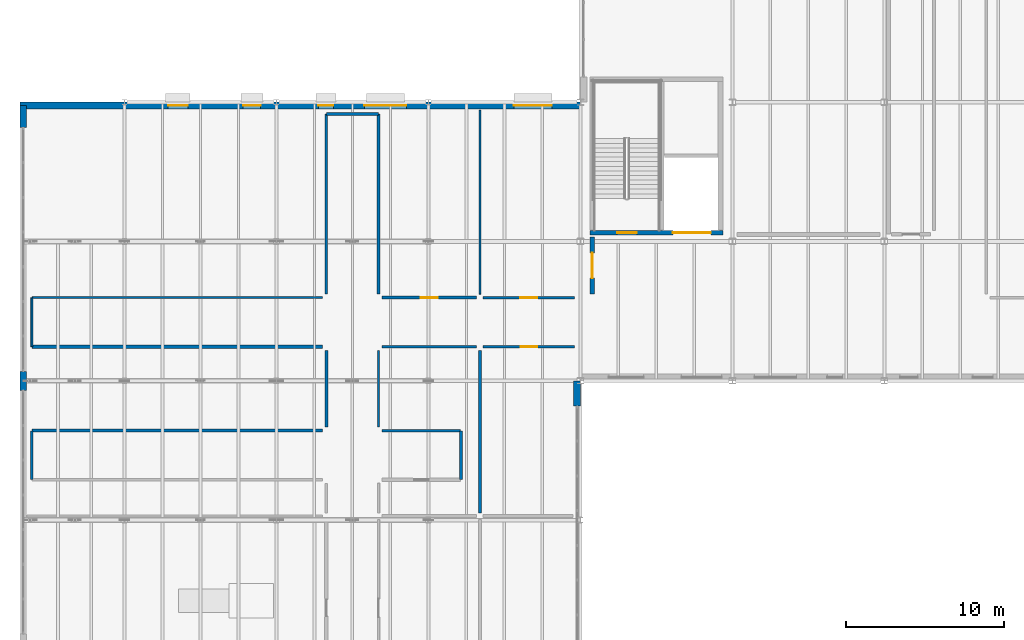
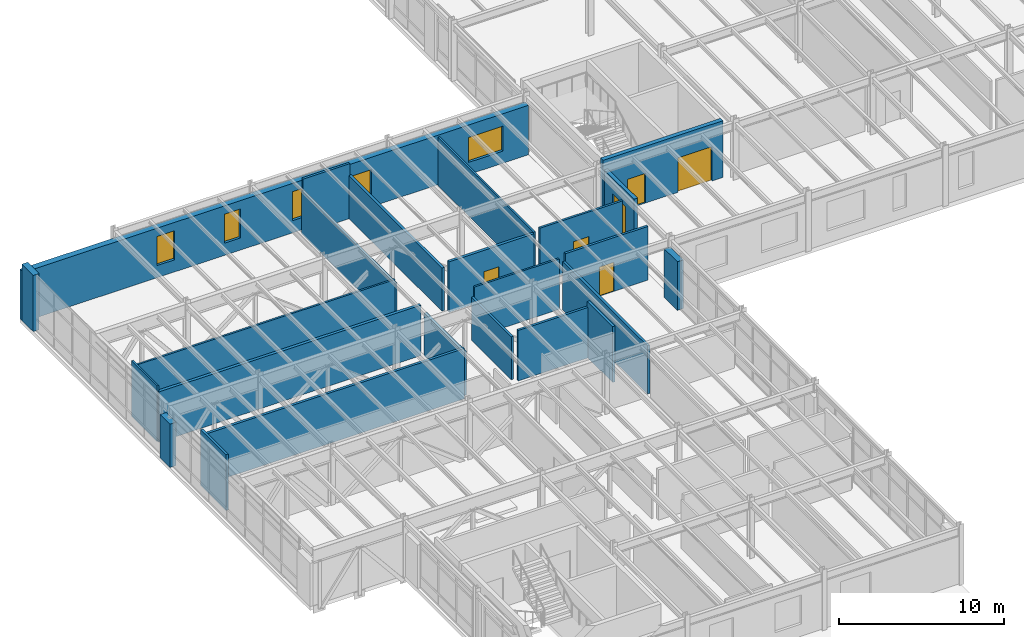
# One storey, part 72 of 88: 24 walls, 6 doors, 5 windows, 11 openings.
"""IFC4 building model written with IfcOpenShell, lengths in metres."""

from ifc_helpers import new_model, si_unit, direction, frame, frame_2d, origin, place, context, subcontext, project, spatial, rectangle, extrude, material, layer, layer_set, type_object, element, fill, save


model = new_model("IFC4")

# Units and contexts
model_context = context("Model", 3, precision=1e-05, world=origin(), true_north=direction((0.0, 1.0)))
body_context = subcontext(model_context, "Body", "Model", "MODEL_VIEW")
ifc_project = project(units=[si_unit("LENGTHUNIT", "METRE"), si_unit("AREAUNIT", "SQUARE_METRE"), si_unit("VOLUMEUNIT", "CUBIC_METRE"), si_unit("PLANEANGLEUNIT", "RADIAN"), si_unit("MASSUNIT", "GRAM", prefix="KILO")], contexts=[model_context])

# Site, building, storey
site_placement = place(None, origin())
site = spatial("IfcSite", under=ifc_project, at=site_placement, CompositionType="ELEMENT")
building_placement = place(site_placement, origin())
building = spatial("IfcBuilding", under=site, at=building_placement, Name="Sarnbrook Museum", CompositionType="ELEMENT")
storey_placement = place(building_placement, frame((0.0, 0.0, 10.10009765625)))
storey = spatial("IfcBuildingStorey", under=building, at=storey_placement, Name="L02", CompositionType="ELEMENT", Elevation=10.10009765625)

# Wall, openings, doors
ifc_material_1 = material(Name="Concrete N50 (AS 3600, f'c = 50 MPa)", Category="concrete")
ifc_layer_1 = layer(ifc_material_1, 0.300048828125)
ifc_layer_set_1 = layer_set([ifc_layer_1], Name="Concrete N50 (AS 3600, f'c = 50 MPa)")
wall_type_1 = type_object("IfcWallType", Name="CoreWall_CWRC", PredefinedType="SHEAR", material=ifc_layer_set_1)
wall_1_placement = place(storey_placement, frame((43.0, 83.75, 0.0), z_axis=(0.0, 0.0, 1.0), x_axis=(1.0, 0.0, 0.0)))
wall_1 = element("IfcWall", 1, at=wall_1_placement, inside=storey, type_object=wall_type_1, Name="Core C6 Shear Wall S L02", PredefinedType="SHEAR", context=body_context, shape_type="SweptSolid", body=[
    extrude(rectangle(XDim=8.39990234375, YDim=0.300048828125, at=frame_2d((4.199951171875, 0.0))), origin(), (0.0, 0.0, 1.0), 4.204833984375),
])
opening_1_placement = place(wall_1_placement, frame((1.715087890625, 0.0, 0.0)))
opening_1 = element("IfcOpeningElement", 2, at=opening_1_placement, cuts=wall_1, Name="Opening D-ST-ST6-L02", PredefinedType="OPENING", context=body_context, shape_type="SweptSolid", body=[
    extrude(rectangle(XDim=1.25, YDim=2.199951171875, at=frame_2d((0.625, 1.10009765625))), frame((0.0, 0.16015625, 0.0), z_axis=(0.0, -1.0, 0.0), x_axis=(1.0, 0.0, 0.0)), (0.0, 0.0, 1.0), 0.320068359375),
])
opening_2_placement = place(wall_1_placement, frame((5.25, 0.0, 0.0)))
opening_2 = element("IfcOpeningElement", 3, at=opening_2_placement, cuts=wall_1, Name="Opening LD-GL2-L02", PredefinedType="OPENING", context=body_context, shape_type="SweptSolid", body=[
    extrude(rectangle(XDim=2.39990234375, YDim=2.550048828125, at=frame_2d((1.199951171875, 1.27490234375))), frame((0.0, 0.16015625, 0.0), z_axis=(0.0, -1.0, 0.0), x_axis=(1.0, 0.0, 0.0)), (0.0, 0.0, 1.0), 0.320068359375),
])
ifc_material_2 = material(Name="Tasmanian Oak Acoustic Timber", Category="wood")
door_type_1 = type_object("IfcDoorType", Name="FireDoor_FD120", OperationType="NOTDEFINED", PredefinedType="DOOR", material=ifc_material_2)
door_1_placement = place(opening_1_placement, origin())
door_1 = element("IfcDoor", 4, at=door_1_placement, inside=storey, type_object=door_type_1, Name="Exit Stair ST6 Fire Door L02", OperationType="SINGLE_SWING_RIGHT", OverallHeight=2.199951171875, OverallWidth=1.25, PredefinedType="DOOR", context=body_context, shape_type="SweptSolid", body=[
    extrude(rectangle(XDim=1.25, YDim=2.199951171875, at=frame_2d((0.625, 1.10009765625))), frame((0.0, 0.02490234375, 0.0), z_axis=(0.0, -1.0, 0.0), x_axis=(1.0, 0.0, 0.0)), (0.0, 0.0, 1.0), 0.050048828125),
])
fill(opening_1, door_1)
ifc_material_3 = material(Name="Brushed Stainless Steel Grade 316", Category="steel")
door_type_2 = type_object("IfcDoorType", Name="LiftDoor_Goods240", OperationType="DOUBLE_DOOR_SLIDING", PredefinedType="DOOR", material=ifc_material_3)
door_2_placement = place(opening_2_placement, origin())
door_2 = element("IfcDoor", 5, at=door_2_placement, inside=storey, type_object=door_type_2, Name="Lift Landing Sliding Door LD-GL2-L02", OperationType="DOUBLE_DOOR_SLIDING", OverallHeight=2.550048828125, OverallWidth=2.39990234375, PredefinedType="DOOR", context=body_context, shape_type="SweptSolid", body=[
    extrude(rectangle(XDim=2.39990234375, YDim=2.550048828125, at=frame_2d((1.199951171875, 1.27490234375))), frame((0.0, 0.02490234375, 0.0), z_axis=(0.0, -1.0, 0.0), x_axis=(1.0, 0.0, 0.0)), (0.0, 0.0, 1.0), 0.050048828125),
])
fill(opening_2, door_2)

# Wall, opening, door
ifc_material_4 = material(Name="Concrete N40 (AS 3600, f'c = 40 MPa)", Category="concrete")
ifc_layer_2 = layer(ifc_material_4, 0.260009765625)
ifc_layer_set_2 = layer_set([ifc_layer_2], Name="Concrete N40 (AS 3600, f'c = 40 MPa)")
wall_type_2 = type_object("IfcWallType", Name="FireWall_FW240", PredefinedType="SOLIDWALL", material=ifc_layer_set_2)
wall_2_placement = place(storey_placement, frame((43.14990234375, 83.47998046875, 0.0), z_axis=(0.0, 0.0, 1.0), x_axis=(0.0, -1.0, 0.0)))
wall_2 = element("IfcWall", 6, at=wall_2_placement, inside=storey, type_object=wall_type_2, Name="Interior Partition Wall L02-0565", PredefinedType="SOLIDWALL", context=body_context, shape_type="SweptSolid", body=[
    extrude(rectangle(XDim=3.60009765625, YDim=0.260009765625, at=frame_2d((1.800048828125, 0.0))), origin(), (0.0, 0.0, 1.0), 3.572998046875),
])
opening_3_placement = place(wall_2_placement, frame((1.0, 0.0, 0.0)))
opening_3 = element("IfcOpeningElement", 7, at=opening_3_placement, cuts=wall_2, Name="Opening D-L02-163", PredefinedType="OPENING", context=body_context, shape_type="SweptSolid", body=[
    extrude(rectangle(XDim=1.60009765625, YDim=2.39990234375, at=frame_2d((0.800048828125, 1.199951171875))), frame((0.0, 0.14013671875, 0.0), z_axis=(0.0, -1.0, 0.0), x_axis=(1.0, 0.0, 0.0)), (0.0, 0.0, 1.0), 0.280029296875),
])
ifc_material_5 = material(Name="Patinated Architectural Bronze")
door_type_3 = type_object("IfcDoorType", Name="FireDoor_FD240", OperationType="NOTDEFINED", PredefinedType="DOOR", material=ifc_material_5)
door_3_placement = place(opening_3_placement, origin())
door_3 = element("IfcDoor", 8, at=door_3_placement, inside=storey, type_object=door_type_3, Name="Collection Archive Vault L02-25 Door D-L02-163", OperationType="DOUBLE_DOOR_SINGLE_SWING", OverallHeight=2.39990234375, OverallWidth=1.60009765625, PredefinedType="DOOR", context=body_context, shape_type="SweptSolid", body=[
    extrude(rectangle(XDim=1.60009765625, YDim=2.39990234375, at=frame_2d((0.800048828125, 1.199951171875))), frame((0.0, 0.02490234375, 0.0), z_axis=(0.0, -1.0, 0.0), x_axis=(1.0, 0.0, 0.0)), (0.0, 0.0, 1.0), 0.050048828125),
])
fill(opening_3, door_3)

# Walls
ifc_material_6 = material(Name="Fire-Rated Acoustic Gypsum Plasterboard")
ifc_layer_3 = layer(ifc_material_6, 0.1201171875)
ifc_layer_set_3 = layer_set([ifc_layer_3], Name="Fire-Rated Acoustic Gypsum Plasterboard")
wall_type_3 = type_object("IfcWallType", Name="PartWall_P120", PredefinedType="PARTITIONING", material=ifc_layer_set_3)
wall_3_placement = place(storey_placement, frame((7.75, 79.639892578125, 0.0), z_axis=(0.0, 0.0, 1.0), x_axis=(0.0, -1.0, 0.0)))
element("IfcWall", 9, at=wall_3_placement, inside=storey, type_object=wall_type_3, Name="Interior Partition Wall L02-0545", PredefinedType="PARTITIONING", context=body_context, shape_type="SweptSolid", body=[
    extrude(rectangle(XDim=3.079833984375, YDim=0.1201171875, at=frame_2d((1.5400390625, 0.0))), origin(), (0.0, 0.0, 1.0), 4.1298828125),
])
wall_4_placement = place(storey_placement, frame((36.06005859375, 91.5, 0.0), z_axis=(0.0, 0.0, 1.0), x_axis=(0.0, -1.0, 0.0)))
element("IfcWall", 10, at=wall_4_placement, inside=storey, type_object=wall_type_3, Name="Interior Partition Wall L02-0580", PredefinedType="PARTITIONING", context=body_context, shape_type="SweptSolid", body=[
    extrude(rectangle(XDim=11.6201171875, YDim=0.1201171875, at=frame_2d((5.81005859375, 0.0))), origin(), (0.0, 0.0, 1.0), 3.5830078125),
])
ifc_layer_4 = layer(ifc_material_6, 0.135009765625)
ifc_layer_set_4 = layer_set([ifc_layer_4], Name="Fire-Rated Acoustic Gypsum Plasterboard")
wall_type_4 = type_object("IfcWallType", Name="PartWall_P135", PredefinedType="PARTITIONING", material=ifc_layer_set_4)
wall_5_placement = place(storey_placement, frame((26.1201171875, 79.64990234375, 0.0), z_axis=(0.0, 0.0, 1.0), x_axis=(-1.0, 0.0, 0.0)))
element("IfcWall", 11, at=wall_5_placement, inside=storey, type_object=wall_type_4, Name="Interior Partition Wall L02-0544", PredefinedType="PARTITIONING", context=body_context, shape_type="SweptSolid", body=[
    extrude(rectangle(XDim=18.360107421875, YDim=0.135009765625, at=frame_2d((9.18017578125, 0.0))), origin(), (0.0, 0.0, 1.0), 3.73291015625),
])
wall_6_placement = place(storey_placement, frame((29.8798828125, 76.550048828125, 0.0), z_axis=(0.0, 0.0, 1.0), x_axis=(1.0, 0.0, 0.0)))
element("IfcWall", 12, at=wall_6_placement, inside=storey, type_object=wall_type_4, Name="Interior Partition Wall L02-0558", PredefinedType="PARTITIONING", context=body_context, shape_type="SweptSolid", body=[
    extrude(rectangle(XDim=5.9501953125, YDim=0.135009765625, at=frame_2d((2.97509765625, 0.0))), origin(), (0.0, 0.0, 1.0), 3.73291015625),
])
ifc_layer_5 = layer(ifc_material_6, 0.14990234375)
ifc_layer_set_5 = layer_set([ifc_layer_5], Name="Fire-Rated Acoustic Gypsum Plasterboard")
wall_type_5 = type_object("IfcWallType", Name="PartWall_P150", PredefinedType="PARTITIONING", material=ifc_layer_set_5)
wall_7_placement = place(storey_placement, frame((26.35009765625, 91.239990234375, 0.0), z_axis=(0.0, 0.0, 1.0), x_axis=(0.0, -1.0, 0.0)))
element("IfcWall", 13, at=wall_7_placement, inside=storey, type_object=wall_type_5, Name="Interior Partition Wall L02-0543", PredefinedType="PARTITIONING", context=body_context, shape_type="SweptSolid", body=[
    extrude(rectangle(XDim=11.360107421875, YDim=0.14990234375, at=frame_2d((5.68017578125, 0.0))), origin(), (0.0, 0.0, 1.0), 3.18994140625),
])
wall_8_placement = place(storey_placement, frame((29.64990234375, 71.47998046875, 0.0), z_axis=(0.0, 0.0, 1.0), x_axis=(0.0, 1.0, 0.0)))
element("IfcWall", 14, at=wall_8_placement, inside=storey, type_object=wall_type_5, Name="Interior Partition Wall L02-0557", PredefinedType="PARTITIONING", context=body_context, shape_type="SweptSolid", body=[
    extrude(rectangle(XDim=4.840087890625, YDim=0.14990234375, at=frame_2d((2.419921875, 0.0))), origin(), (0.0, 0.0, 1.0), 3.18994140625),
])

# Wall, opening, door
wall_9_placement = place(storey_placement, frame((42.0400390625, 79.64990234375, 0.0), z_axis=(0.0, 0.0, 1.0), x_axis=(-1.0, 0.0, 0.0)))
wall_9 = element("IfcWall", 15, at=wall_9_placement, inside=storey, type_object=wall_type_5, Name="Interior Partition Wall L02-0564", PredefinedType="PARTITIONING", context=body_context, shape_type="SweptSolid", body=[
    extrude(rectangle(XDim=5.7900390625, YDim=0.14990234375, at=frame_2d((2.89501953125, 0.0))), origin(), (0.0, 0.0, 1.0), 3.98291015625),
])
opening_4_placement = place(wall_9_placement, frame((2.35009765625, 0.0, 0.0)))
opening_4 = element("IfcOpeningElement", 16, at=opening_4_placement, cuts=wall_9, Name="Opening D-L02-162", PredefinedType="OPENING", context=body_context, shape_type="SweptSolid", body=[
    extrude(rectangle(XDim=1.090087890625, YDim=2.159912109375, at=frame_2d((0.544921875, 1.080078125))), frame((0.0, 0.0849609375, 0.0), z_axis=(0.0, -1.0, 0.0), x_axis=(1.0, 0.0, 0.0)), (0.0, 0.0, 1.0), 0.169921875),
])
door_type_4 = type_object("IfcDoorType", Name="IntDoor_DT10", OperationType="NOTDEFINED", PredefinedType="DOOR", material=ifc_material_2)
door_4_placement = place(opening_4_placement, origin())
door_4 = element("IfcDoor", 17, at=door_4_placement, inside=storey, type_object=door_type_4, Name="Travelling Exhibition Hall L02-24 Door D-L02-162", OperationType="SINGLE_SWING_LEFT", OverallHeight=2.159912109375, OverallWidth=1.090087890625, PredefinedType="DOOR", context=body_context, shape_type="SweptSolid", body=[
    extrude(rectangle(XDim=1.090087890625, YDim=2.159912109375, at=frame_2d((0.544921875, 1.080078125))), frame((0.0, 0.02490234375, 0.0), z_axis=(0.0, -1.0, 0.0), x_axis=(1.0, 0.0, 0.0)), (0.0, 0.0, 1.0), 0.050048828125),
])
fill(opening_4, door_4)

# Walls
ifc_layer_6 = layer(ifc_material_6, 0.1650390625)
ifc_layer_set_6 = layer_set([ifc_layer_6], Name="Fire-Rated Acoustic Gypsum Plasterboard")
wall_type_6 = type_object("IfcWallType", Name="PartWall_P165", PredefinedType="PARTITIONING", material=ifc_layer_set_6)
wall_10_placement = place(storey_placement, frame((29.639892578125, 91.25, 0.0), z_axis=(0.0, 0.0, 1.0), x_axis=(-1.0, 0.0, 0.0)))
element("IfcWall", 18, at=wall_10_placement, inside=storey, type_object=wall_type_6, Name="Interior Partition Wall L02-0542", PredefinedType="PARTITIONING", context=body_context, shape_type="SweptSolid", body=[
    extrude(rectangle(XDim=3.27978515625, YDim=0.1650390625, at=frame_2d((1.639892578125, 0.0))), origin(), (0.0, 0.0, 1.0), 4.052978515625),
])
wall_11_placement = place(storey_placement, frame((7.75, 71.239990234375, 0.0), z_axis=(0.0, 0.0, 1.0), x_axis=(0.0, -1.0, 0.0)))
element("IfcWall", 19, at=wall_11_placement, inside=storey, type_object=wall_type_6, Name="Interior Partition Wall L02-0549", PredefinedType="PARTITIONING", context=body_context, shape_type="SweptSolid", body=[
    extrude(rectangle(XDim=3.080078125, YDim=0.1650390625, at=frame_2d((1.5400390625, 0.0))), origin(), (0.0, 0.0, 1.0), 4.1298828125),
])
wall_12_placement = place(storey_placement, frame((34.840087890625, 71.25, 0.0), z_axis=(0.0, 0.0, 1.0), x_axis=(-1.0, 0.0, 0.0)))
element("IfcWall", 20, at=wall_12_placement, inside=storey, type_object=wall_type_6, Name="Interior Partition Wall L02-0556", PredefinedType="PARTITIONING", context=body_context, shape_type="SweptSolid", body=[
    extrude(rectangle(XDim=4.960205078125, YDim=0.1650390625, at=frame_2d((2.47998046875, 0.0))), origin(), (0.0, 0.0, 1.0), 3.73291015625),
])

# Wall, opening, door
wall_13_placement = place(storey_placement, frame((36.25, 76.550048828125, 0.0), z_axis=(0.0, 0.0, 1.0), x_axis=(1.0, 0.0, 0.0)))
wall_13 = element("IfcWall", 21, at=wall_13_placement, inside=storey, type_object=wall_type_6, Name="Interior Partition Wall L02-0563", PredefinedType="PARTITIONING", context=body_context, shape_type="SweptSolid", body=[
    extrude(rectangle(XDim=5.7900390625, YDim=0.1650390625, at=frame_2d((2.89501953125, 0.0))), origin(), (0.0, 0.0, 1.0), 3.98291015625),
])
opening_5_placement = place(wall_13_placement, frame((2.3798828125, 0.0, 0.0)))
opening_5 = element("IfcOpeningElement", 22, at=opening_5_placement, cuts=wall_13, Name="Opening D-L02-161", PredefinedType="OPENING", context=body_context, shape_type="SweptSolid", body=[
    extrude(rectangle(XDim=1.030029296875, YDim=2.159912109375, at=frame_2d((0.51513671875, 1.080078125))), frame((0.0, 0.092529296875, 0.0), z_axis=(0.0, -1.0, 0.0), x_axis=(1.0, 0.0, 0.0)), (0.0, 0.0, 1.0), 0.18505859375),
])
door_type_5 = type_object("IfcDoorType", Name="IntDoor_DT09", OperationType="NOTDEFINED", PredefinedType="DOOR", material=ifc_material_2)
door_5_placement = place(opening_5_placement, frame((1.030029296875, 0.0, 0.0), z_axis=(0.0, 0.0, 1.0), x_axis=(-1.0, 0.0, 0.0)))
door_5 = element("IfcDoor", 23, at=door_5_placement, inside=storey, type_object=door_type_5, Name="Curatorial Research Suite L02-23 Door D-L02-161", OperationType="SINGLE_SWING_RIGHT", OverallHeight=2.159912109375, OverallWidth=1.030029296875, PredefinedType="DOOR", context=body_context, shape_type="SweptSolid", body=[
    extrude(rectangle(XDim=1.030029296875, YDim=2.159912109375, at=frame_2d((0.51513671875, 1.080078125))), frame((0.0, 0.02490234375, 0.0), z_axis=(0.0, -1.0, 0.0), x_axis=(1.0, 0.0, 0.0)), (0.0, 0.0, 1.0), 0.050048828125),
])
fill(opening_5, door_5)

# Walls
ifc_layer_7 = layer(ifc_material_6, 0.179931640625)
ifc_layer_set_7 = layer_set([ifc_layer_7], Name="Fire-Rated Acoustic Gypsum Plasterboard")
wall_type_7 = type_object("IfcWallType", Name="PartWall_P180", PredefinedType="PARTITIONING", material=ifc_layer_set_7)
wall_14_placement = place(storey_placement, frame((29.64990234375, 79.8798828125, 0.0), z_axis=(0.0, 0.0, 1.0), x_axis=(0.0, 1.0, 0.0)))
element("IfcWall", 24, at=wall_14_placement, inside=storey, type_object=wall_type_7, Name="Interior Partition Wall L02-0541", PredefinedType="PARTITIONING", context=body_context, shape_type="SweptSolid", body=[
    extrude(rectangle(XDim=11.360107421875, YDim=0.179931640625, at=frame_2d((5.68017578125, 0.0))), origin(), (0.0, 0.0, 1.0), 3.18994140625),
])
wall_15_placement = place(storey_placement, frame((26.1201171875, 71.25, 0.0), z_axis=(0.0, 0.0, 1.0), x_axis=(-1.0, 0.0, 0.0)))
element("IfcWall", 25, at=wall_15_placement, inside=storey, type_object=wall_type_7, Name="Interior Partition Wall L02-0548", PredefinedType="PARTITIONING", context=body_context, shape_type="SweptSolid", body=[
    extrude(rectangle(XDim=18.360107421875, YDim=0.179931640625, at=frame_2d((9.18017578125, 0.0))), origin(), (0.0, 0.0, 1.0), 3.73291015625),
])
wall_16_placement = place(storey_placement, frame((34.85009765625, 68.159912109375, 0.0), z_axis=(0.0, 0.0, 1.0), x_axis=(0.0, 1.0, 0.0)))
element("IfcWall", 26, at=wall_16_placement, inside=storey, type_object=wall_type_7, Name="Interior Partition Wall L02-0555", PredefinedType="PARTITIONING", context=body_context, shape_type="SweptSolid", body=[
    extrude(rectangle(XDim=3.080078125, YDim=0.179931640625, at=frame_2d((1.5400390625, 0.0))), origin(), (0.0, 0.0, 1.0), 4.1298828125),
])
wall_17_placement = place(storey_placement, frame((36.06005859375, 76.320068359375, 0.0), z_axis=(0.0, 0.0, 1.0), x_axis=(0.0, -1.0, 0.0)))
element("IfcWall", 27, at=wall_17_placement, inside=storey, type_object=wall_type_7, Name="Interior Partition Wall L02-0583", PredefinedType="PARTITIONING", context=body_context, shape_type="SweptSolid", body=[
    extrude(rectangle(XDim=10.27001953125, YDim=0.179931640625, at=frame_2d((5.135009765625, 0.0))), origin(), (0.0, 0.0, 1.0), 3.5830078125),
])

# Wall, opening, door
ifc_layer_8 = layer(ifc_material_6, 0.195068359375)
ifc_layer_set_8 = layer_set([ifc_layer_8], Name="Fire-Rated Acoustic Gypsum Plasterboard")
wall_type_8 = type_object("IfcWallType", Name="PartWall_P195", PredefinedType="PARTITIONING", material=ifc_layer_set_8)
wall_18_placement = place(storey_placement, frame((35.830078125, 79.64990234375, 0.0), z_axis=(0.0, 0.0, 1.0), x_axis=(-1.0, 0.0, 0.0)))
wall_18 = element("IfcWall", 28, at=wall_18_placement, inside=storey, type_object=wall_type_8, Name="Interior Partition Wall L02-0540", PredefinedType="PARTITIONING", context=body_context, shape_type="SweptSolid", body=[
    extrude(rectangle(XDim=5.9501953125, YDim=0.195068359375, at=frame_2d((2.97509765625, 0.0))), origin(), (0.0, 0.0, 1.0), 3.73291015625),
])
opening_6_placement = place(wall_18_placement, frame((2.449951171875, 0.0, 0.0)))
opening_6 = element("IfcOpeningElement", 29, at=opening_6_placement, cuts=wall_18, Name="Opening D-L02-157", PredefinedType="OPENING", context=body_context, shape_type="SweptSolid", body=[
    extrude(rectangle(XDim=1.050048828125, YDim=2.14990234375, at=frame_2d((0.52490234375, 1.074951171875))), frame((0.0, 0.107421875, 0.0), z_axis=(0.0, -1.0, 0.0), x_axis=(1.0, 0.0, 0.0)), (0.0, 0.0, 1.0), 0.215087890625),
])
door_type_6 = type_object("IfcDoorType", Name="FireDoor_FD60", OperationType="NOTDEFINED", PredefinedType="DOOR", material=ifc_material_2)
door_6_placement = place(opening_6_placement, origin())
door_6 = element("IfcDoor", 30, at=door_6_placement, inside=storey, type_object=door_type_6, Name="Cantilevered Stone Sculpture Gallery L02-19 Door D-L02-157", OperationType="SINGLE_SWING_RIGHT", OverallHeight=2.14990234375, OverallWidth=1.050048828125, PredefinedType="DOOR", context=body_context, shape_type="SweptSolid", body=[
    extrude(rectangle(XDim=1.050048828125, YDim=2.14990234375, at=frame_2d((0.52490234375, 1.074951171875))), frame((0.0, 0.02490234375, 0.0), z_axis=(0.0, -1.0, 0.0), x_axis=(1.0, 0.0, 0.0)), (0.0, 0.0, 1.0), 0.050048828125),
])
fill(opening_6, door_6)

# Walls
wall_19_placement = place(storey_placement, frame((26.35009765625, 76.320068359375, 0.0), z_axis=(0.0, 0.0, 1.0), x_axis=(0.0, -1.0, 0.0)))
element("IfcWall", 31, at=wall_19_placement, inside=storey, type_object=wall_type_8, Name="Interior Partition Wall L02-0547", PredefinedType="PARTITIONING", context=body_context, shape_type="SweptSolid", body=[
    extrude(rectangle(XDim=4.840087890625, YDim=0.195068359375, at=frame_2d((2.419921875, 0.0))), origin(), (0.0, 0.0, 1.0), 3.18994140625),
])
ifc_layer_9 = layer(ifc_material_6, 0.2099609375)
ifc_layer_set_9 = layer_set([ifc_layer_9], Name="Fire-Rated Acoustic Gypsum Plasterboard")
wall_type_9 = type_object("IfcWallType", Name="PartWall_P210", PredefinedType="PARTITIONING", material=ifc_layer_set_9)
wall_20_placement = place(storey_placement, frame((7.760009765625, 76.550048828125, 0.0), z_axis=(0.0, 0.0, 1.0), x_axis=(1.0, 0.0, 0.0)))
element("IfcWall", 32, at=wall_20_placement, inside=storey, type_object=wall_type_9, Name="Interior Partition Wall L02-0546", PredefinedType="PARTITIONING", context=body_context, shape_type="SweptSolid", body=[
    extrude(rectangle(XDim=18.360107421875, YDim=0.2099609375, at=frame_2d((9.18017578125, 0.0))), origin(), (0.0, 0.0, 1.0), 3.73291015625),
])

# Wall, openings, windows
ifc_material_7 = material(Name="Barrabool Sandstone Ashlar Cladding", Category="masonry")
ifc_layer_10 = layer(ifc_material_7, 0.419921875)
ifc_layer_set_10 = layer_set([ifc_layer_10], Name="Barrabool Sandstone Ashlar Cladding")
wall_type_10 = type_object("IfcWallType", Name="Wall_SandstoneExt420", PredefinedType="SOLIDWALL", material=ifc_layer_set_10)
wall_21_placement = place(storey_placement, frame((42.39990234375, 91.7900390625, 0.0), z_axis=(0.0, 0.0, 1.0), x_axis=(-1.0, 0.0, 0.0)))
wall_21 = element("IfcWall", 33, at=wall_21_placement, inside=storey, type_object=wall_type_10, Name="Classical Sandstone Facade Wall L02-07", PredefinedType="SOLIDWALL", context=body_context, shape_type="SweptSolid", body=[
    extrude(rectangle(XDim=35.39990234375, YDim=0.419921875, at=frame_2d((17.699951171875, 0.0))), origin(), (0.0, 0.0, 1.0), 3.66796875),
])
opening_7_placement = place(wall_21_placement, frame((1.800048828125, 0.0, 0.89990234375)))
opening_7 = element("IfcOpeningElement", 34, at=opening_7_placement, cuts=wall_21, Name="Opening WT-21", PredefinedType="OPENING", context=body_context, shape_type="SweptSolid", body=[
    extrude(rectangle(XDim=2.39990234375, YDim=1.85009765625, at=frame_2d((1.199951171875, 0.925048828125))), frame((0.0, 0.219970703125, 0.0), z_axis=(0.0, -1.0, 0.0), x_axis=(1.0, 0.0, 0.0)), (0.0, 0.0, 1.0), 0.43994140625),
])
opening_8_placement = place(wall_21_placement, frame((11.0, 0.0, 0.89990234375)))
opening_8 = element("IfcOpeningElement", 35, at=opening_8_placement, cuts=wall_21, Name="Opening WT-22", PredefinedType="OPENING", context=body_context, shape_type="SweptSolid", body=[
    extrude(rectangle(XDim=2.64990234375, YDim=1.85009765625, at=frame_2d((1.324951171875, 0.925048828125))), frame((0.0, 0.219970703125, 0.0), z_axis=(0.0, -1.0, 0.0), x_axis=(1.0, 0.0, 0.0)), (0.0, 0.0, 1.0), 0.43994140625),
])
opening_9_placement = place(wall_21_placement, frame((15.60009765625, 0.0, 0.89990234375)))
opening_9 = element("IfcOpeningElement", 36, at=opening_9_placement, cuts=wall_21, Name="Opening WT-23", PredefinedType="OPENING", context=body_context, shape_type="SweptSolid", body=[
    extrude(rectangle(XDim=0.949951171875, YDim=2.14990234375, at=frame_2d((0.47509765625, 1.074951171875))), frame((0.0, 0.219970703125, 0.0), z_axis=(0.0, -1.0, 0.0), x_axis=(1.0, 0.0, 0.0)), (0.0, 0.0, 1.0), 0.43994140625),
])
opening_10_placement = place(wall_21_placement, frame((20.199951171875, 0.0, 0.89990234375)))
opening_10 = element("IfcOpeningElement", 37, at=opening_10_placement, cuts=wall_21, Name="Opening WT-24", PredefinedType="OPENING", context=body_context, shape_type="SweptSolid", body=[
    extrude(rectangle(XDim=1.10009765625, YDim=2.14990234375, at=frame_2d((0.550048828125, 1.074951171875))), frame((0.0, 0.219970703125, 0.0), z_axis=(0.0, -1.0, 0.0), x_axis=(1.0, 0.0, 0.0)), (0.0, 0.0, 1.0), 0.43994140625),
])
opening_11_placement = place(wall_21_placement, frame((24.800048828125, 0.0, 0.89990234375)))
opening_11 = element("IfcOpeningElement", 38, at=opening_11_placement, cuts=wall_21, Name="Opening WT-25", PredefinedType="OPENING", context=body_context, shape_type="SweptSolid", body=[
    extrude(rectangle(XDim=1.25, YDim=2.14990234375, at=frame_2d((0.625, 1.074951171875))), frame((0.0, 0.219970703125, 0.0), z_axis=(0.0, -1.0, 0.0), x_axis=(1.0, 0.0, 0.0)), (0.0, 0.0, 1.0), 0.43994140625),
])
ifc_material_8 = material(Name="Double-Glazed Low-Iron Laminated Safety Glass", Category="glass")
window_type_1 = type_object("IfcWindowType", Name="Window_Classical_WT21", PartitioningType="SINGLE_PANEL", PredefinedType="WINDOW", material=ifc_material_8)
window_1_placement = place(opening_7_placement, origin())
window_1 = element("IfcWindow", 39, at=window_1_placement, inside=storey, type_object=window_type_1, Name="Classical Bronze Casement Window WIN:L02:0065", OverallHeight=1.85009765625, OverallWidth=2.39990234375, PartitioningType="SINGLE_PANEL", PredefinedType="WINDOW", context=body_context, shape_type="SweptSolid", body=[
    extrude(rectangle(XDim=2.39990234375, YDim=1.85009765625, at=frame_2d((1.199951171875, 0.925048828125))), frame((0.0, 0.030029296875, 0.0), z_axis=(0.0, -1.0, 0.0), x_axis=(1.0, 0.0, 0.0)), (0.0, 0.0, 1.0), 0.06005859375),
])
fill(opening_7, window_1)
window_type_2 = type_object("IfcWindowType", Name="Window_Classical_WT22", PartitioningType="SINGLE_PANEL", PredefinedType="WINDOW", material=ifc_material_8)
window_2_placement = place(opening_8_placement, origin())
window_2 = element("IfcWindow", 40, at=window_2_placement, inside=storey, type_object=window_type_2, Name="Classical Bronze Casement Window WIN:L02:0066", OverallHeight=1.85009765625, OverallWidth=2.64990234375, PartitioningType="SINGLE_PANEL", PredefinedType="WINDOW", context=body_context, shape_type="SweptSolid", body=[
    extrude(rectangle(XDim=2.64990234375, YDim=1.85009765625, at=frame_2d((1.324951171875, 0.925048828125))), frame((0.0, 0.030029296875, 0.0), z_axis=(0.0, -1.0, 0.0), x_axis=(1.0, 0.0, 0.0)), (0.0, 0.0, 1.0), 0.06005859375),
])
fill(opening_8, window_2)
window_type_3 = type_object("IfcWindowType", Name="Window_Classical_WT23", PartitioningType="SINGLE_PANEL", PredefinedType="WINDOW", material=ifc_material_8)
window_3_placement = place(opening_9_placement, origin())
window_3 = element("IfcWindow", 41, at=window_3_placement, inside=storey, type_object=window_type_3, Name="Classical Bronze Casement Window WIN:L02:0067", OverallHeight=2.14990234375, OverallWidth=0.949951171875, PartitioningType="SINGLE_PANEL", PredefinedType="WINDOW", context=body_context, shape_type="SweptSolid", body=[
    extrude(rectangle(XDim=0.949951171875, YDim=2.14990234375, at=frame_2d((0.47509765625, 1.074951171875))), frame((0.0, 0.030029296875, 0.0), z_axis=(0.0, -1.0, 0.0), x_axis=(1.0, 0.0, 0.0)), (0.0, 0.0, 1.0), 0.06005859375),
])
fill(opening_9, window_3)
window_type_4 = type_object("IfcWindowType", Name="Window_Classical_WT24", PartitioningType="SINGLE_PANEL", PredefinedType="WINDOW", material=ifc_material_8)
window_4_placement = place(opening_10_placement, origin())
window_4 = element("IfcWindow", 42, at=window_4_placement, inside=storey, type_object=window_type_4, Name="Classical Bronze Casement Window WIN:L02:0068", OverallHeight=2.14990234375, OverallWidth=1.10009765625, PartitioningType="SINGLE_PANEL", PredefinedType="WINDOW", context=body_context, shape_type="SweptSolid", body=[
    extrude(rectangle(XDim=1.10009765625, YDim=2.14990234375, at=frame_2d((0.550048828125, 1.074951171875))), frame((0.0, 0.030029296875, 0.0), z_axis=(0.0, -1.0, 0.0), x_axis=(1.0, 0.0, 0.0)), (0.0, 0.0, 1.0), 0.06005859375),
])
fill(opening_10, window_4)
window_type_5 = type_object("IfcWindowType", Name="Window_Classical_WT25", PartitioningType="SINGLE_PANEL", PredefinedType="WINDOW", material=ifc_material_8)
window_5_placement = place(opening_11_placement, origin())
window_5 = element("IfcWindow", 43, at=window_5_placement, inside=storey, type_object=window_type_5, Name="Classical Bronze Casement Window WIN:L02:0069", OverallHeight=2.14990234375, OverallWidth=1.25, PartitioningType="SINGLE_PANEL", PredefinedType="WINDOW", context=body_context, shape_type="SweptSolid", body=[
    extrude(rectangle(XDim=1.25, YDim=2.14990234375, at=frame_2d((0.625, 1.074951171875))), frame((0.0, 0.030029296875, 0.0), z_axis=(0.0, -1.0, 0.0), x_axis=(1.0, 0.0, 0.0)), (0.0, 0.0, 1.0), 0.06005859375),
])
fill(opening_11, window_5)

# Walls
wall_22_placement = place(storey_placement, frame((7.2099609375, 91.783935546875, 0.0), z_axis=(0.0, 0.0, 1.0), x_axis=(0.0, -1.0, 0.0)))
element("IfcWall", 44, at=wall_22_placement, inside=storey, type_object=wall_type_10, Name="Classical Sandstone Facade Pier L02-8.1", PredefinedType="SOLIDWALL", context=body_context, shape_type="SweptSolid", body=[
    extrude(rectangle(XDim=1.384033203125, YDim=0.419921875, at=frame_2d((0.69189453125, 0.0))), origin(), (0.0, 0.0, 1.0), 4.159912109375),
])
wall_23_placement = place(storey_placement, frame((7.2099609375, 75.0, 0.0), z_axis=(0.0, 0.0, 1.0), x_axis=(0.0, -1.0, 0.0)))
element("IfcWall", 45, at=wall_23_placement, inside=storey, type_object=wall_type_10, Name="Classical Sandstone Facade Pier L02-8.2", PredefinedType="SOLIDWALL", context=body_context, shape_type="SweptSolid", body=[
    extrude(rectangle(XDim=1.199951171875, YDim=0.419921875, at=frame_2d((0.60009765625, 0.0))), origin(), (0.0, 0.0, 1.0), 3.204833984375),
])
wall_24_placement = place(storey_placement, frame((42.18994140625, 72.800048828125, 0.0), z_axis=(0.0, 0.0, 1.0), x_axis=(0.0, 1.0, 0.0)))
element("IfcWall", 46, at=wall_24_placement, inside=storey, type_object=wall_type_10, Name="Classical Sandstone Facade Pier L02-12.3", PredefinedType="SOLIDWALL", context=body_context, shape_type="SweptSolid", body=[
    extrude(rectangle(XDim=1.599853515625, YDim=0.419921875, at=frame_2d((0.7998046875, 0.0))), origin(), (0.0, 0.0, 1.0), 3.597900390625),
])

save(model, "model.ifc")
